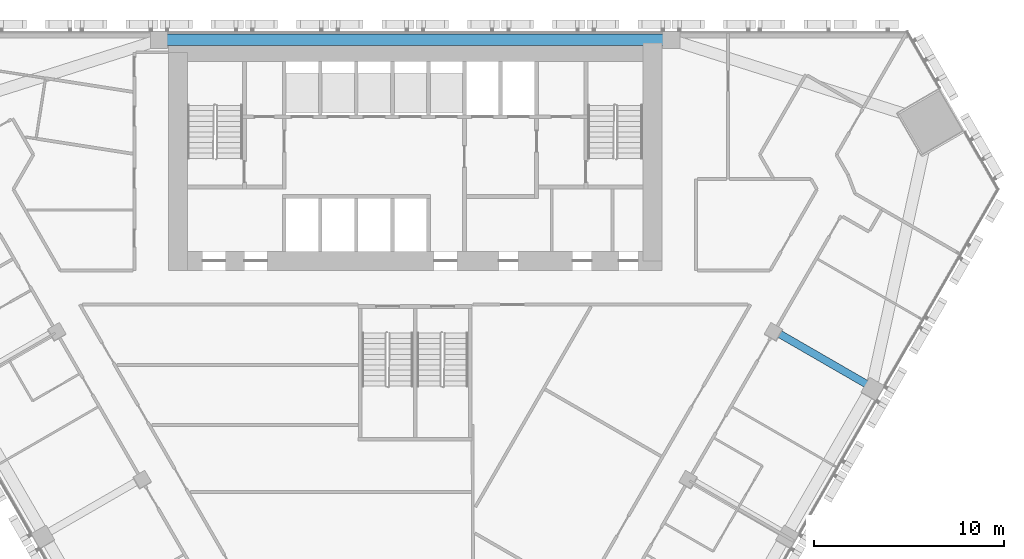
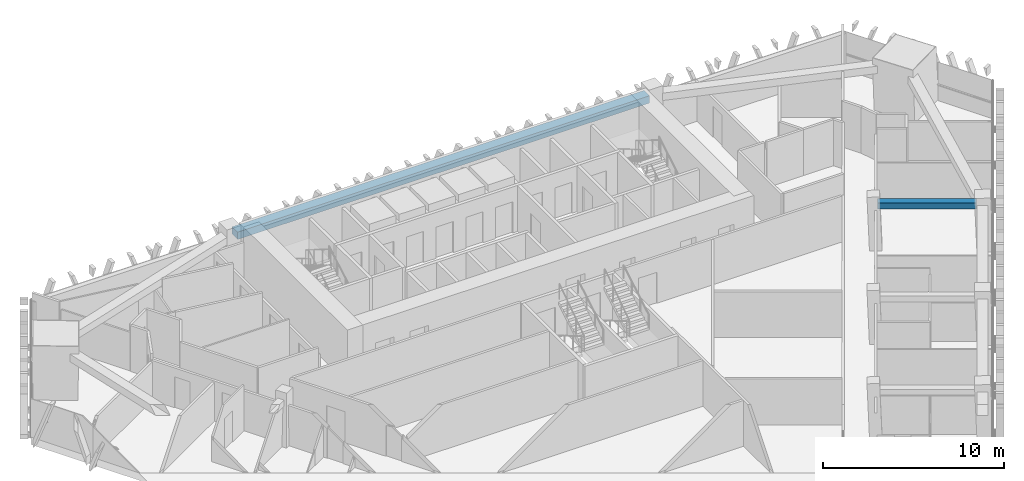
# One storey, part 7 of 18: 2 beams.
"""IFC4 building model written with IfcOpenShell, lengths in metres."""

from ifc_helpers import new_model, si_unit, direction, frame, origin, origin_2d, place, context, subcontext, project, spatial, rectangle, extrude, material, material_profile, profile_set, type_object, element, save


model = new_model("IFC4")

# Units and contexts
model_context = context("Model", 3, precision=1e-05, world=origin(), true_north=direction((0.0, 1.0)))
body_context = subcontext(model_context, "Body", "Model", "MODEL_VIEW")
ifc_project = project(units=[si_unit("LENGTHUNIT", "METRE"), si_unit("AREAUNIT", "SQUARE_METRE"), si_unit("VOLUMEUNIT", "CUBIC_METRE"), si_unit("PLANEANGLEUNIT", "RADIAN"), si_unit("MASSUNIT", "GRAM", prefix="KILO")], contexts=[model_context])

# Site, building, storey
site_placement = place(None, origin())
site = spatial("IfcSite", under=ifc_project, at=site_placement, CompositionType="ELEMENT")
building_placement = place(site_placement, origin())
building = spatial("IfcBuilding", under=site, at=building_placement, Name="Altiplano Prism Tower", CompositionType="ELEMENT")
storey_placement = place(building_placement, frame((0.0, 0.0, 45.0)))
storey = spatial("IfcBuildingStorey", under=building, at=storey_placement, Name="L10", CompositionType="ELEMENT", Elevation=45.0)

# Beams
ifc_material = material(Name="Concrete C60/75", Category="concrete")
ifc_material_profile_1 = material_profile(ifc_material, rectangle(XDim=0.60009765625, YDim=0.5, at=origin_2d()), Name="Edge beam 600x500")
ifc_profile_set_1 = profile_set([ifc_material_profile_1], Name="Concrete C60/75")
beam_type_1 = type_object("IfcBeamType", Name="Edge beam 600x500", PredefinedType="SPANDREL", material=ifc_profile_set_1)
beam_1_placement = place(storey_placement, frame((98.169921875, 104.550048828125, 2.85009765625), z_axis=(-1.0, 0.0, 0.0), x_axis=(0.0, -1.0, 0.0)))
element("IfcBeam", 1, at=beam_1_placement, inside=storey, type_object=beam_type_1, Name="Edge beam P01-P04 L11", PredefinedType="SPANDREL", context=body_context, shape_type="SweptSolid", body=[
    extrude(rectangle(XDim=0.60009765625, YDim=0.5, at=origin_2d()), origin(), (0.0, 0.0, 1.0), 26.33984375),
])
ifc_material_profile_2 = material_profile(ifc_material, rectangle(XDim=0.39990234375, YDim=0.39990234375, at=origin_2d()), Name="Tie beam 400x400")
ifc_profile_set_2 = profile_set([ifc_material_profile_2], Name="Concrete C60/75")
beam_type_2 = type_object("IfcBeamType", Name="Tie beam 400x400", PredefinedType="BEAM", material=ifc_profile_set_2)
beam_2_placement = place(storey_placement, frame((104.026611328125, 89.15771484375, 2.89990234375), z_axis=(0.866012292785, -0.50002270823, 0.0), x_axis=(0.50002270823, 0.866012292785, 0.0)))
element("IfcBeam", 2, at=beam_2_placement, inside=storey, type_object=beam_type_2, Name="Tie beam I24 L11", PredefinedType="BEAM", context=body_context, shape_type="SweptSolid", body=[
    extrude(rectangle(XDim=0.39990234375, YDim=0.39990234375, at=origin_2d()), origin(), (0.0, 0.0, 1.0), 5.489990234375),
])

save(model, "model.ifc")
